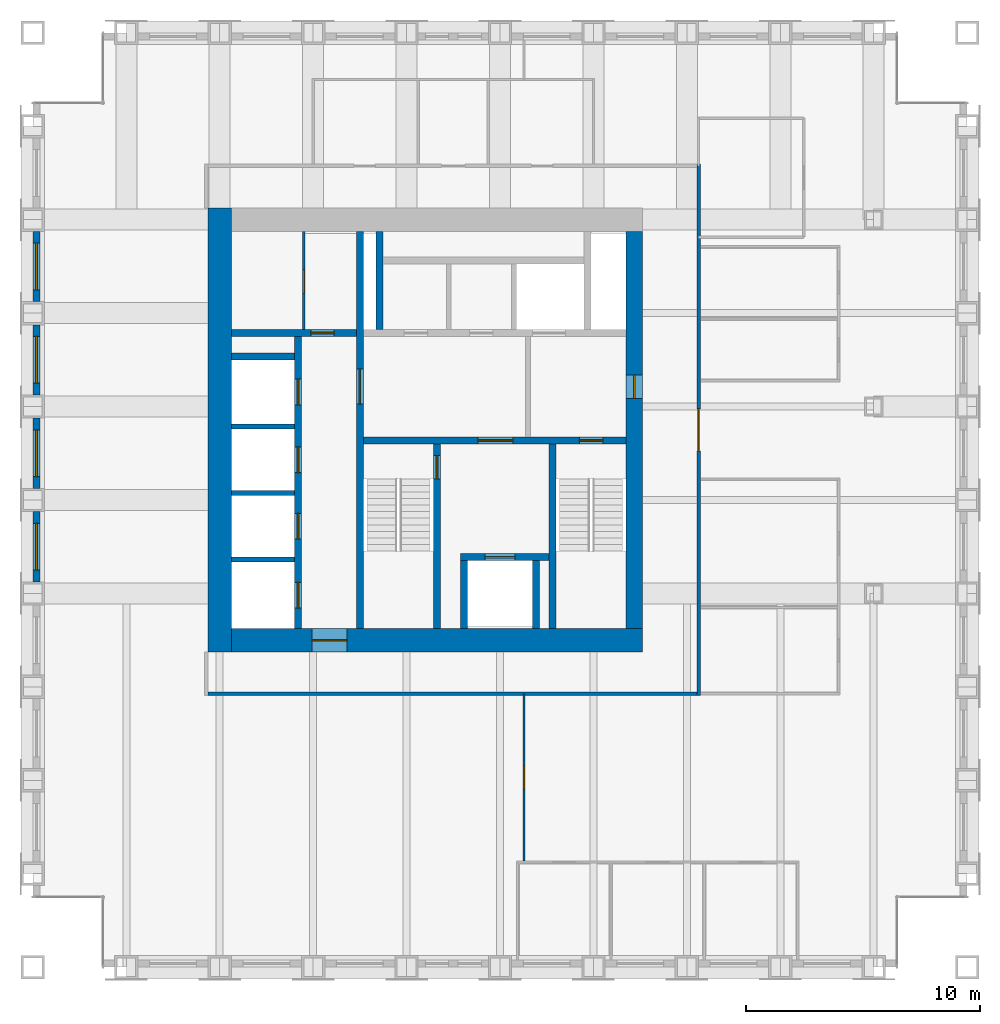
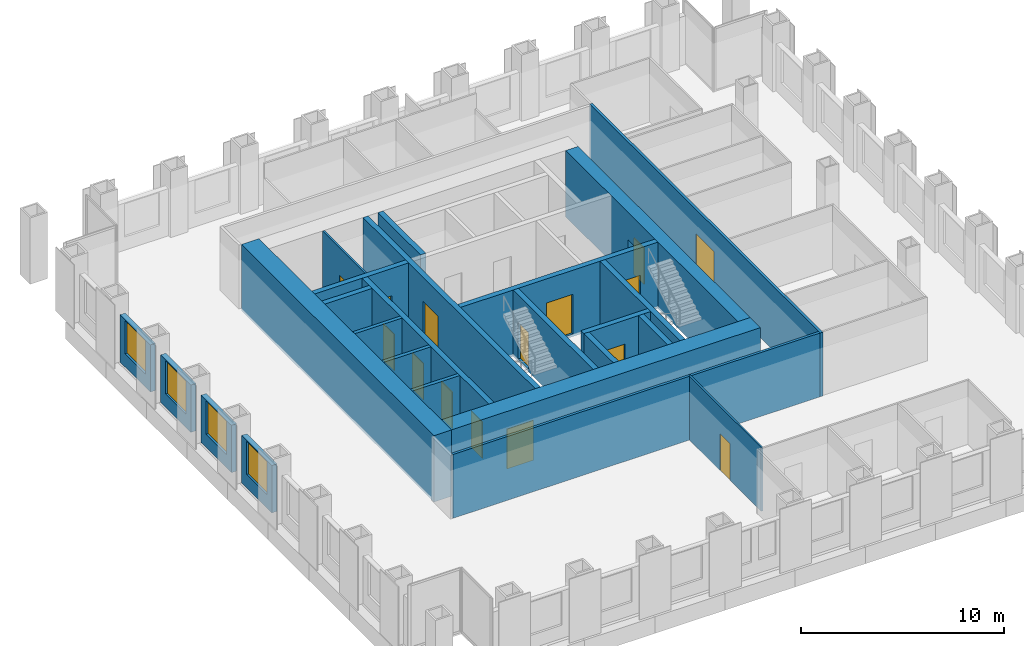
# One storey, part 8 of 11: 25 walls, 15 doors, 4 windows, 19 openings.
"""IFC4 building model written with IfcOpenShell, lengths in metres."""

import ifcopenshell
import ifcopenshell.guid

model = None  # the IFC model being written
_history = None  # IfcOwnerHistory: only IFC2X3 demands one
_inside = {}  # id of a spatial element -> (the spatial element, [elements in it])
_under = {}  # id of a project, library or spatial element -> (it, [spatial elements below it])
_declared = {}  # id of a project -> (the project, [libraries it declares])
_typed = {}  # id of a type object -> (the type object, [elements of that type])
_made_of = {}  # id of a material, layer set ... -> (it, [elements and type objects made of it])


def new_model(schema):
    """Start an empty IFC model of exactly this schema.

    Asked for "IFC4X3", IfcOpenShell would pick the latest addendum, in which some entities
    have other attributes; the version numbers below select the first issue.
    IFC2X3 requires an IfcOwnerHistory on every rooted entity: one is made here for all.
    """
    global model, _history
    if schema == "IFC4X3":
        model = ifcopenshell.file(schema_version=(4, 3, 0, 0))
    else:
        model = ifcopenshell.file(schema=schema)
    _inside.clear()
    _under.clear()
    _declared.clear()
    _typed.clear()
    _made_of.clear()
    _history = None
    if model.schema == "IFC2X3":
        org = make("IfcOrganization", Name="unknown")
        user = make(
            "IfcPersonAndOrganization",
            ThePerson=make("IfcPerson", FamilyName="unknown"),
            TheOrganization=org,
        )
        app = make(
            "IfcApplication",
            ApplicationDeveloper=org,
            Version="unknown",
            ApplicationFullName="unknown",
            ApplicationIdentifier="unknown",
        )
        _history = make(
            "IfcOwnerHistory",
            OwningUser=user,
            OwningApplication=app,
            ChangeAction="ADDED",
            CreationDate=0,
        )
    return model


def make(cls, **values):
    """One entity of the class cls with the attributes given. An attribute that is None is left unset."""
    return model.create_entity(
        cls, **{name: value for name, value in values.items() if value is not None}
    )


def rooted(cls, **values):
    """An entity with a GlobalId (a new one), such as an element, a storey or a relation."""
    return make(cls, GlobalId=ifcopenshell.guid.new(), OwnerHistory=_history, **values)


def si_unit(unit_type, name, prefix=None):
    """IfcSIUnit, for example si_unit("LENGTHUNIT", "METRE", prefix="MILLI")."""
    return make("IfcSIUnit", UnitType=unit_type, Prefix=prefix, Name=name)


def assignment(units):
    """IfcUnitAssignment: the units of a project."""
    return None if units is None else make("IfcUnitAssignment", Units=units)


def point(xyz):
    """IfcCartesianPoint."""
    return None if xyz is None else make("IfcCartesianPoint", Coordinates=xyz)


def direction(xyz):
    """IfcDirection."""
    return None if xyz is None else make("IfcDirection", DirectionRatios=xyz)


def frame(location, z_axis=None, x_axis=None):
    """IfcAxis2Placement3D, a coordinate frame: its origin and axes. An axis left out is left unset."""
    return make(
        "IfcAxis2Placement3D",
        Location=point(location),
        Axis=direction(z_axis),
        RefDirection=direction(x_axis),
    )


def frame_2d(location, x_axis=None):
    """IfcAxis2Placement2D, a coordinate frame in the plane: its origin and x axis."""
    return make(
        "IfcAxis2Placement2D", Location=point(location), RefDirection=direction(x_axis)
    )


def origin():
    """The frame at (0, 0, 0) with its axes left unset."""
    return frame((0.0, 0.0, 0.0))


def place(relative_to, where):
    """IfcLocalPlacement: puts the frame where relative to a parent placement (None: the world)."""
    return make(
        "IfcLocalPlacement", PlacementRelTo=relative_to, RelativePlacement=where
    )


def context(
    kind, dimensions, precision=None, world=None, true_north=None, identifier=None
):
    """IfcGeometricRepresentationContext, for example the 3D "Model" context."""
    return make(
        "IfcGeometricRepresentationContext",
        ContextIdentifier=identifier,
        ContextType=kind,
        CoordinateSpaceDimension=dimensions,
        Precision=precision,
        WorldCoordinateSystem=world,
        TrueNorth=true_north,
    )


def subcontext(parent, identifier, kind, view, scale=None):
    """IfcGeometricRepresentationSubContext, for example "Body" below "Model"."""
    return make(
        "IfcGeometricRepresentationSubContext",
        ContextIdentifier=identifier,
        ContextType=kind,
        ParentContext=parent,
        TargetScale=scale,
        TargetView=view,
    )


def project(units=None, contexts=None):
    """IfcProject with its units and contexts."""
    return rooted(
        "IfcProject",
        Name="project",
        RepresentationContexts=contexts,
        UnitsInContext=assignment(units),
    )


def spatial(cls, under=None, at=None, **own):
    """A site, building, storey or space (cls), placed at a placement, below another one or the project."""
    s = rooted(cls, ObjectPlacement=at, **own)
    if under is not None:
        _under.setdefault(under.id(), (under, []))[1].append(s)
    return s


def profile(cls, at=None, kind="AREA", **sizes):
    """A parametric profile (cls). Its sizes go by their IFC names, for example OverallWidth=200.0."""
    return make(cls, ProfileType=kind, Position=at, **sizes)


def rectangle(**sizes):
    """IfcRectangleProfileDef."""
    return profile("IfcRectangleProfileDef", **sizes)


def extrude(swept, where, along, depth):
    """IfcExtrudedAreaSolid: the profile swept, set in the frame where, extruded along a direction by depth."""
    return make(
        "IfcExtrudedAreaSolid",
        SweptArea=swept,
        Position=where,
        ExtrudedDirection=direction(along),
        Depth=depth,
    )


def shape(context_of_items, identifier, shape_type, items):
    """IfcShapeRepresentation: the items that make up one representation, for example the "Body"."""
    return make(
        "IfcShapeRepresentation",
        ContextOfItems=context_of_items,
        RepresentationIdentifier=identifier,
        RepresentationType=shape_type,
        Items=items,
    )


def material(Name=None, Category=None):
    """IfcMaterial."""
    return make("IfcMaterial", Name=Name, Category=Category)


def layer(
    of_material, thickness, ventilated=None, Name=None, Category=None, Priority=None
):
    """IfcMaterialLayer: one layer of a wall or slab, of a material (None: an air gap)."""
    return make(
        "IfcMaterialLayer",
        Material=of_material,
        LayerThickness=thickness,
        IsVentilated=ventilated,
        Name=Name,
        Category=Category,
        Priority=Priority,
    )


def layer_set(layers, Name=None):
    """IfcMaterialLayerSet."""
    return make("IfcMaterialLayerSet", MaterialLayers=layers, LayerSetName=Name)


def made_of(thing, what):
    """Note that an element or type object is made of a material, layer set ...; save() writes the relation."""
    if what is not None:
        _made_of.setdefault(what.id(), (what, []))[1].append(thing)
    return thing


def type_object(cls, material=None, **own):
    """A type object (cls), such as IfcWallType, which elements share."""
    return made_of(rooted(cls, **own), material)


def element(
    cls,
    number,
    at=None,
    inside=None,
    cuts=None,
    type_object=None,
    material=None,
    context=None,
    identifier="Body",
    shape_type=None,
    held_by="IfcProductDefinitionShape",
    body=None,
    shapes=None,
    **own,
):
    """One element of the class cls, such as IfcWall. Its Tag is "e" and its number.

    at: its placement. inside: the storey or other place that contains it. cuts: it is an
    opening in that element (IfcRelVoidsElement). A single representation is given by context,
    identifier, shape_type and body (its items); several are given by shapes. held_by: the class
    of the entity that holds the representations. save() writes the other relations.
    """
    e = rooted(cls, Tag="e%d" % number, ObjectPlacement=at, **own)
    if body is not None:
        shapes = [shape(context, identifier, shape_type, body)]
    if shapes is not None:
        e.Representation = make(held_by, Representations=shapes)
    if inside is not None:
        _inside.setdefault(inside.id(), (inside, []))[1].append(e)
    if cuts is not None:
        rooted(
            "IfcRelVoidsElement", RelatingBuildingElement=cuts, RelatedOpeningElement=e
        )
    if type_object is not None:
        _typed.setdefault(type_object.id(), (type_object, []))[1].append(e)
    return made_of(e, material)


def fill(opening, filler):
    """IfcRelFillsElement: the door or window that sits in an opening."""
    return rooted(
        "IfcRelFillsElement",
        RelatingOpeningElement=opening,
        RelatedBuildingElement=filler,
    )


def aggregate(whole, parts):
    """IfcRelAggregates: a whole, such as a stair, and the parts it consists of."""
    return rooted("IfcRelAggregates", RelatingObject=whole, RelatedObjects=parts)


def save(model, path):
    """Write the relations noted so far, then the file.

    IfcRelAggregates (storeys below a building ...), IfcRelContainedInSpatialStructure (elements
    in a storey), IfcRelDefinesByType, IfcRelAssociatesMaterial and IfcRelDeclares: one each for
    every whole, place, type object, material and project.
    """
    for whole, parts in _under.values():
        aggregate(whole, parts)
    for where, things in _inside.values():
        rooted(
            "IfcRelContainedInSpatialStructure",
            RelatedElements=things,
            RelatingStructure=where,
        )
    for kind, things in _typed.values():
        rooted("IfcRelDefinesByType", RelatedObjects=things, RelatingType=kind)
    for what, things in _made_of.values():
        rooted("IfcRelAssociatesMaterial", RelatedObjects=things, RelatingMaterial=what)
    for by, libraries in _declared.values():
        rooted("IfcRelDeclares", RelatingContext=by, RelatedDefinitions=libraries)
    model.write(path)


model = new_model("IFC4")

# Units and contexts
model_context = context("Model", 3, precision=1e-05, world=origin(), true_north=direction((0.0, 1.0)))
body_context = subcontext(model_context, "Body", "Model", "MODEL_VIEW")
ifc_project = project(units=[si_unit("LENGTHUNIT", "METRE"), si_unit("AREAUNIT", "SQUARE_METRE"), si_unit("VOLUMEUNIT", "CUBIC_METRE"), si_unit("PLANEANGLEUNIT", "RADIAN"), si_unit("MASSUNIT", "GRAM", prefix="KILO")], contexts=[model_context])

# Site, building, storey
site_placement = place(None, origin())
site = spatial("IfcSite", under=ifc_project, at=site_placement, CompositionType="ELEMENT")
building_placement = place(site_placement, origin())
building = spatial("IfcBuilding", under=site, at=building_placement, Name="Rimbunsela Tower", CompositionType="ELEMENT")
storey_placement = place(building_placement, frame((0.0, 0.0, 250.199951171875)))
storey = spatial("IfcBuildingStorey", under=building, at=storey_placement, Name="L60", CompositionType="ELEMENT", Elevation=250.199951171875)

# Wall, opening, door
ifc_material_1 = material(Name="Concrete fc' 80 MPa", Category="concrete")
ifc_layer_1 = layer(ifc_material_1, 0.300048828125)
ifc_layer_set_1 = layer_set([ifc_layer_1], Name="Core internal wall 300")
wall_type_1 = type_object("IfcWallType", Name="Core internal wall 300", PredefinedType="SHEAR", material=ifc_layer_set_1)
wall_1_placement = place(storey_placement, frame((24.0, 18.5, -0.14990234375), z_axis=(0.0, 0.0, 1.0), x_axis=(0.0, 1.0, 0.0)))
wall_1 = element("IfcWall", 1, at=wall_1_placement, inside=storey, type_object=wall_type_1, Name="Core wall at stair A", PredefinedType="SHEAR", context=body_context, shape_type="SweptSolid", body=[
    extrude(rectangle(XDim=17.0, YDim=0.300048828125, at=frame_2d((8.5, 0.0))), origin(), (0.0, 0.0, 1.0), 4.0),
])
opening_1_placement = place(wall_1_placement, frame((9.60009765625, 0.0, 0.14990234375)))
opening_1 = element("IfcOpeningElement", 2, at=opening_1_placement, cuts=wall_1, Name="Opening D03", PredefinedType="OPENING", context=body_context, shape_type="SweptSolid", body=[
    extrude(rectangle(XDim=1.5, YDim=2.39990234375, at=frame_2d((0.75, 1.199951171875))), frame((0.0, 0.159912109375, 0.0), z_axis=(0.0, -1.0, 0.0), x_axis=(1.0, 0.0, 0.0)), (0.0, 0.0, 1.0), 0.320068359375),
])
ifc_material_2 = material(Name="Steel door, fire rated", Category="steel")
door_type_1 = type_object("IfcDoorType", Name="Core lobby door 1500", OperationType="DOUBLE_DOOR_DOUBLE_SWING", PredefinedType="DOOR", material=ifc_material_2)
door_1_placement = place(opening_1_placement, origin())
door_1 = element("IfcDoor", 3, at=door_1_placement, inside=storey, type_object=door_type_1, Name="West lobby door", OperationType="DOUBLE_DOOR_DOUBLE_SWING", OverallHeight=2.39990234375, OverallWidth=1.5, PredefinedType="DOOR", context=body_context, shape_type="SweptSolid", body=[
    extrude(rectangle(XDim=1.5, YDim=2.39990234375, at=frame_2d((0.75, 1.199951171875))), frame((0.0, 0.02490234375, 0.0), z_axis=(0.0, -1.0, 0.0), x_axis=(1.0, 0.0, 0.0)), (0.0, 0.0, 1.0), 0.050048828125),
])
fill(opening_1, door_1)

# Wall, openings, doors
wall_2_placement = place(storey_placement, frame((24.14990234375, 26.550048828125, -0.14990234375), z_axis=(0.0, 0.0, 1.0), x_axis=(1.0, 0.0, 0.0)))
wall_2 = element("IfcWall", 4, at=wall_2_placement, inside=storey, type_object=wall_type_1, Name="Core wall lobby south", PredefinedType="SHEAR", context=body_context, shape_type="SweptSolid", body=[
    extrude(rectangle(XDim=11.25, YDim=0.300048828125, at=frame_2d((5.625, 0.0))), origin(), (0.0, 0.0, 1.0), 4.0),
])
opening_2_placement = place(wall_2_placement, frame((9.25, 0.0, 0.14990234375)))
opening_2 = element("IfcOpeningElement", 5, at=opening_2_placement, cuts=wall_2, Name="Opening D01", PredefinedType="OPENING", context=body_context, shape_type="SweptSolid", body=[
    extrude(rectangle(XDim=1.0, YDim=2.199951171875, at=frame_2d((0.5, 1.10009765625))), frame((0.0, 0.159912109375, 0.0), z_axis=(0.0, -1.0, 0.0), x_axis=(1.0, 0.0, 0.0)), (0.0, 0.0, 1.0), 0.320068359375),
])
opening_3_placement = place(wall_2_placement, frame((4.89990234375, 0.0, 0.14990234375)))
opening_3 = element("IfcOpeningElement", 6, at=opening_3_placement, cuts=wall_2, Name="Opening D03", PredefinedType="OPENING", context=body_context, shape_type="SweptSolid", body=[
    extrude(rectangle(XDim=1.5, YDim=2.39990234375, at=frame_2d((0.75, 1.199951171875))), frame((0.0, 0.159912109375, 0.0), z_axis=(0.0, -1.0, 0.0), x_axis=(1.0, 0.0, 0.0)), (0.0, 0.0, 1.0), 0.320068359375),
])
door_2_placement = place(opening_3_placement, origin())
door_2 = element("IfcDoor", 7, at=door_2_placement, inside=storey, type_object=door_type_1, Name="Firefighting lobby door", OperationType="DOUBLE_DOOR_DOUBLE_SWING", OverallHeight=2.39990234375, OverallWidth=1.5, PredefinedType="DOOR", context=body_context, shape_type="SweptSolid", body=[
    extrude(rectangle(XDim=1.5, YDim=2.39990234375, at=frame_2d((0.75, 1.199951171875))), frame((0.0, 0.02490234375, 0.0), z_axis=(0.0, -1.0, 0.0), x_axis=(1.0, 0.0, 0.0)), (0.0, 0.0, 1.0), 0.050048828125),
])
fill(opening_3, door_2)
ifc_material_3 = material(Name="Steel door, fire rated", Category="steel")
door_type_2 = type_object("IfcDoorType", Name="Stair door 1000", OperationType="SINGLE_SWING_RIGHT", PredefinedType="DOOR", material=ifc_material_3)
door_3_placement = place(opening_2_placement, frame((1.0, 0.0, 0.0), z_axis=(0.0, 0.0, 1.0), x_axis=(-1.0, 0.0, 0.0)))
door_3 = element("IfcDoor", 8, at=door_3_placement, inside=storey, type_object=door_type_2, Name="Stair B door", OperationType="SINGLE_SWING_RIGHT", OverallHeight=2.199951171875, OverallWidth=1.0, PredefinedType="DOOR", context=body_context, shape_type="SweptSolid", body=[
    extrude(rectangle(XDim=1.0, YDim=2.199951171875, at=frame_2d((0.5, 1.10009765625))), frame((0.0, 0.02490234375, 0.0), z_axis=(0.0, -1.0, 0.0), x_axis=(1.0, 0.0, 0.0)), (0.0, 0.0, 1.0), 0.050048828125),
])
fill(opening_2, door_3)

# Wall, opening, door
wall_3_placement = place(storey_placement, frame((27.300048828125, 18.5, -0.14990234375), z_axis=(0.0, 0.0, 1.0), x_axis=(0.0, 1.0, 0.0)))
wall_3 = element("IfcWall", 9, at=wall_3_placement, inside=storey, type_object=wall_type_1, Name="Stair A enclosure", PredefinedType="SHEAR", context=body_context, shape_type="SweptSolid", body=[
    extrude(rectangle(XDim=7.89990234375, YDim=0.300048828125, at=frame_2d((3.949951171875, 0.0))), origin(), (0.0, 0.0, 1.0), 4.0),
])
opening_4_placement = place(wall_3_placement, frame((6.39990234375, 0.0, 0.14990234375)))
opening_4 = element("IfcOpeningElement", 10, at=opening_4_placement, cuts=wall_3, Name="Opening D01", PredefinedType="OPENING", context=body_context, shape_type="SweptSolid", body=[
    extrude(rectangle(XDim=1.0, YDim=2.199951171875, at=frame_2d((0.5, 1.10009765625))), frame((0.0, 0.159912109375, 0.0), z_axis=(0.0, -1.0, 0.0), x_axis=(1.0, 0.0, 0.0)), (0.0, 0.0, 1.0), 0.320068359375),
])
door_4_placement = place(opening_4_placement, origin())
door_4 = element("IfcDoor", 11, at=door_4_placement, inside=storey, type_object=door_type_2, Name="Stair A door", OperationType="SINGLE_SWING_RIGHT", OverallHeight=2.199951171875, OverallWidth=1.0, PredefinedType="DOOR", context=body_context, shape_type="SweptSolid", body=[
    extrude(rectangle(XDim=1.0, YDim=2.199951171875, at=frame_2d((0.5, 1.10009765625))), frame((0.0, 0.02490234375, 0.0), z_axis=(0.0, -1.0, 0.0), x_axis=(1.0, 0.0, 0.0)), (0.0, 0.0, 1.0), 0.050048828125),
])
fill(opening_4, door_4)

# Walls
wall_4_placement = place(storey_placement, frame((32.25, 18.5, -0.14990234375), z_axis=(0.0, 0.0, 1.0), x_axis=(0.0, 1.0, 0.0)))
element("IfcWall", 12, at=wall_4_placement, inside=storey, type_object=wall_type_1, Name="Stair B enclosure", PredefinedType="SHEAR", context=body_context, shape_type="SweptSolid", body=[
    extrude(rectangle(XDim=7.89990234375, YDim=0.300048828125, at=frame_2d((3.949951171875, 0.0))), origin(), (0.0, 0.0, 1.0), 4.0),
])
for number, where, z_axis, x_axis, name in (
    (13, (28.449951171875, 18.5, -0.14990234375), (0.0, 0.0, 1.0), (0.0, 1.0, 0.0), "Firefighting lift shaft west"),
    (14, (31.550048828125, 18.5, -0.14990234375), (0.0, 0.0, 1.0), (0.0, 1.0, 0.0), "Firefighting lift shaft east"),
):
    element("IfcWall", number, at=place(storey_placement, frame(where, z_axis=z_axis, x_axis=x_axis)), inside=storey, type_object=wall_type_1, Name=name, PredefinedType="SHEAR", context=body_context, shape_type="SweptSolid", body=[
        extrude(rectangle(XDim=2.89990234375, YDim=0.300048828125, at=frame_2d((1.449951171875, 0.0))), origin(), (0.0, 0.0, 1.0), 4.0),
    ])

# Wall, opening, door
wall_5_placement = place(storey_placement, frame((28.300048828125, 21.550048828125, -0.14990234375), z_axis=(0.0, 0.0, 1.0), x_axis=(1.0, 0.0, 0.0)))
wall_5 = element("IfcWall", 15, at=wall_5_placement, inside=storey, type_object=wall_type_1, Name="Firefighting lift shaft front", PredefinedType="SHEAR", context=body_context, shape_type="SweptSolid", body=[
    extrude(rectangle(XDim=3.800048828125, YDim=0.300048828125, at=frame_2d((1.89990234375, 0.0))), origin(), (0.0, 0.0, 1.0), 4.0),
])
opening_5_placement = place(wall_5_placement, frame((1.050048828125, 0.0, 0.14990234375)))
opening_5 = element("IfcOpeningElement", 16, at=opening_5_placement, cuts=wall_5, Name="Opening LD2", PredefinedType="OPENING", context=body_context, shape_type="SweptSolid", body=[
    extrude(rectangle(XDim=1.300048828125, YDim=2.39990234375, at=frame_2d((0.64990234375, 1.199951171875))), frame((0.0, 0.159912109375, 0.0), z_axis=(0.0, -1.0, 0.0), x_axis=(1.0, 0.0, 0.0)), (0.0, 0.0, 1.0), 0.320068359375),
])
ifc_material_4 = material(Name="Steel door, fire rated", Category="steel")
door_type_3 = type_object("IfcDoorType", Name="Lift landing door 1300", OperationType="DOUBLE_DOOR_SLIDING", PredefinedType="DOOR", material=ifc_material_4)
door_5_placement = place(opening_5_placement, origin())
door_5 = element("IfcDoor", 17, at=door_5_placement, inside=storey, type_object=door_type_3, Name="Lift landing door FL1", OperationType="DOUBLE_DOOR_SLIDING", OverallHeight=2.39990234375, OverallWidth=1.300048828125, PredefinedType="DOOR", context=body_context, shape_type="SweptSolid", body=[
    extrude(rectangle(XDim=1.300048828125, YDim=2.39990234375, at=frame_2d((0.64990234375, 1.199951171875))), frame((0.0, 0.02490234375, 0.0), z_axis=(0.0, -1.0, 0.0), x_axis=(1.0, 0.0, 0.0)), (0.0, 0.0, 1.0), 0.050048828125),
])
fill(opening_5, door_5)

# Wall, openings, doors
wall_6_placement = place(storey_placement, frame((21.35009765625, 18.5, -0.14990234375), z_axis=(0.0, 0.0, 1.0), x_axis=(0.0, 1.0, 0.0)))
wall_6 = element("IfcWall", 18, at=wall_6_placement, inside=storey, type_object=wall_type_1, Name="Lift shaft front west", PredefinedType="SHEAR", context=body_context, shape_type="SweptSolid", body=[
    extrude(rectangle(XDim=12.5, YDim=0.300048828125, at=frame_2d((6.25, 0.0))), origin(), (0.0, 0.0, 1.0), 4.0),
])
opening_6_placement = place(wall_6_placement, frame((0.875, 0.0, 0.14990234375)))
opening_6 = element("IfcOpeningElement", 19, at=opening_6_placement, cuts=wall_6, Name="Opening LD1", PredefinedType="OPENING", context=body_context, shape_type="SweptSolid", body=[
    extrude(rectangle(XDim=1.10009765625, YDim=2.199951171875, at=frame_2d((0.550048828125, 1.10009765625))), frame((0.0, 0.159912109375, 0.0), z_axis=(0.0, -1.0, 0.0), x_axis=(1.0, 0.0, 0.0)), (0.0, 0.0, 1.0), 0.320068359375),
])
opening_7_placement = place(wall_6_placement, frame((3.824951171875, 0.0, 0.14990234375)))
opening_7 = element("IfcOpeningElement", 20, at=opening_7_placement, cuts=wall_6, Name="Opening LD1", PredefinedType="OPENING", context=body_context, shape_type="SweptSolid", body=[
    extrude(rectangle(XDim=1.10009765625, YDim=2.199951171875, at=frame_2d((0.550048828125, 1.10009765625))), frame((0.0, 0.159912109375, 0.0), z_axis=(0.0, -1.0, 0.0), x_axis=(1.0, 0.0, 0.0)), (0.0, 0.0, 1.0), 0.320068359375),
])
opening_8_placement = place(wall_6_placement, frame((6.675048828125, 0.0, 0.14990234375)))
opening_8 = element("IfcOpeningElement", 21, at=opening_8_placement, cuts=wall_6, Name="Opening LD1", PredefinedType="OPENING", context=body_context, shape_type="SweptSolid", body=[
    extrude(rectangle(XDim=1.10009765625, YDim=2.199951171875, at=frame_2d((0.550048828125, 1.10009765625))), frame((0.0, 0.159912109375, 0.0), z_axis=(0.0, -1.0, 0.0), x_axis=(1.0, 0.0, 0.0)), (0.0, 0.0, 1.0), 0.320068359375),
])
opening_9_placement = place(wall_6_placement, frame((9.574951171875, 0.0, 0.14990234375)))
opening_9 = element("IfcOpeningElement", 22, at=opening_9_placement, cuts=wall_6, Name="Opening LD1", PredefinedType="OPENING", context=body_context, shape_type="SweptSolid", body=[
    extrude(rectangle(XDim=1.10009765625, YDim=2.199951171875, at=frame_2d((0.550048828125, 1.10009765625))), frame((0.0, 0.159912109375, 0.0), z_axis=(0.0, -1.0, 0.0), x_axis=(1.0, 0.0, 0.0)), (0.0, 0.0, 1.0), 0.320068359375),
])
ifc_material_5 = material(Name="Steel door, fire rated", Category="steel")
door_type_4 = type_object("IfcDoorType", Name="Lift landing door 1100", OperationType="DOUBLE_DOOR_SLIDING", PredefinedType="DOOR", material=ifc_material_5)
door_6_placement = place(opening_6_placement, origin())
door_6 = element("IfcDoor", 23, at=door_6_placement, inside=storey, type_object=door_type_4, Name="Lift landing door TL1", OperationType="DOUBLE_DOOR_SLIDING", OverallHeight=2.199951171875, OverallWidth=1.10009765625, PredefinedType="DOOR", context=body_context, shape_type="SweptSolid", body=[
    extrude(rectangle(XDim=1.10009765625, YDim=2.199951171875, at=frame_2d((0.550048828125, 1.10009765625))), frame((0.0, 0.02490234375, 0.0), z_axis=(0.0, -1.0, 0.0), x_axis=(1.0, 0.0, 0.0)), (0.0, 0.0, 1.0), 0.050048828125),
])
fill(opening_6, door_6)
door_7_placement = place(opening_7_placement, origin())
door_7 = element("IfcDoor", 24, at=door_7_placement, inside=storey, type_object=door_type_4, Name="Lift landing door TL2", OperationType="DOUBLE_DOOR_SLIDING", OverallHeight=2.199951171875, OverallWidth=1.10009765625, PredefinedType="DOOR", context=body_context, shape_type="SweptSolid", body=[
    extrude(rectangle(XDim=1.10009765625, YDim=2.199951171875, at=frame_2d((0.550048828125, 1.10009765625))), frame((0.0, 0.02490234375, 0.0), z_axis=(0.0, -1.0, 0.0), x_axis=(1.0, 0.0, 0.0)), (0.0, 0.0, 1.0), 0.050048828125),
])
fill(opening_7, door_7)
door_8_placement = place(opening_8_placement, origin())
door_8 = element("IfcDoor", 25, at=door_8_placement, inside=storey, type_object=door_type_4, Name="Lift landing door TL3", OperationType="DOUBLE_DOOR_SLIDING", OverallHeight=2.199951171875, OverallWidth=1.10009765625, PredefinedType="DOOR", context=body_context, shape_type="SweptSolid", body=[
    extrude(rectangle(XDim=1.10009765625, YDim=2.199951171875, at=frame_2d((0.550048828125, 1.10009765625))), frame((0.0, 0.02490234375, 0.0), z_axis=(0.0, -1.0, 0.0), x_axis=(1.0, 0.0, 0.0)), (0.0, 0.0, 1.0), 0.050048828125),
])
fill(opening_8, door_8)
door_9_placement = place(opening_9_placement, origin())
door_9 = element("IfcDoor", 26, at=door_9_placement, inside=storey, type_object=door_type_4, Name="Lift landing door TL4", OperationType="DOUBLE_DOOR_SLIDING", OverallHeight=2.199951171875, OverallWidth=1.10009765625, PredefinedType="DOOR", context=body_context, shape_type="SweptSolid", body=[
    extrude(rectangle(XDim=1.10009765625, YDim=2.199951171875, at=frame_2d((0.550048828125, 1.10009765625))), frame((0.0, 0.02490234375, 0.0), z_axis=(0.0, -1.0, 0.0), x_axis=(1.0, 0.0, 0.0)), (0.0, 0.0, 1.0), 0.050048828125),
])
fill(opening_9, door_9)

# Wall, opening, door
wall_7_placement = place(storey_placement, frame((18.5, 31.14990234375, -0.14990234375), z_axis=(0.0, 0.0, 1.0), x_axis=(1.0, 0.0, 0.0)))
wall_7 = element("IfcWall", 27, at=wall_7_placement, inside=storey, type_object=wall_type_1, Name="Store wall", PredefinedType="SHEAR", context=body_context, shape_type="SweptSolid", body=[
    extrude(rectangle(XDim=5.35009765625, YDim=0.300048828125, at=frame_2d((2.675048828125, 0.0))), origin(), (0.0, 0.0, 1.0), 4.0),
])
opening_10_placement = place(wall_7_placement, frame((3.39990234375, 0.0, 0.14990234375)))
opening_10 = element("IfcOpeningElement", 28, at=opening_10_placement, cuts=wall_7, Name="Opening D19", PredefinedType="OPENING", context=body_context, shape_type="SweptSolid", body=[
    extrude(rectangle(XDim=1.0, YDim=2.199951171875, at=frame_2d((0.5, 1.10009765625))), frame((0.0, 0.159912109375, 0.0), z_axis=(0.0, -1.0, 0.0), x_axis=(1.0, 0.0, 0.0)), (0.0, 0.0, 1.0), 0.320068359375),
])
ifc_material_6 = material(Name="Steel door, fire rated", Category="steel")
door_type_5 = type_object("IfcDoorType", Name="Service door 1000 fire rated", OperationType="SINGLE_SWING_LEFT", PredefinedType="DOOR", material=ifc_material_6)
door_10_placement = place(opening_10_placement, origin())
door_10 = element("IfcDoor", 29, at=door_10_placement, inside=storey, type_object=door_type_5, Name="Staff pantry door", OperationType="SINGLE_SWING_LEFT", OverallHeight=2.199951171875, OverallWidth=1.0, PredefinedType="DOOR", context=body_context, shape_type="SweptSolid", body=[
    extrude(rectangle(XDim=1.0, YDim=2.199951171875, at=frame_2d((0.5, 1.10009765625))), frame((0.0, 0.02490234375, 0.0), z_axis=(0.0, -1.0, 0.0), x_axis=(1.0, 0.0, 0.0)), (0.0, 0.0, 1.0), 0.050048828125),
])
fill(opening_10, door_10)

# Walls
wall_8_placement = place(storey_placement, frame((18.5, 30.14990234375, -0.14990234375), z_axis=(0.0, 0.0, 1.0), x_axis=(1.0, 0.0, 0.0)))
element("IfcWall", 30, at=wall_8_placement, inside=storey, type_object=wall_type_1, Name="Lift shaft rear west", PredefinedType="SHEAR", context=body_context, shape_type="SweptSolid", body=[
    extrude(rectangle(XDim=2.699951171875, YDim=0.300048828125, at=frame_2d((1.35009765625, 0.0))), origin(), (0.0, 0.0, 1.0), 4.0),
])
wall_9_placement = place(storey_placement, frame((24.85009765625, 31.300048828125, -0.14990234375), z_axis=(0.0, 0.0, 1.0), x_axis=(0.0, 1.0, 0.0)))
element("IfcWall", 31, at=wall_9_placement, inside=storey, type_object=wall_type_1, Name="Riser wall", PredefinedType="SHEAR", context=body_context, shape_type="SweptSolid", body=[
    extrude(rectangle(XDim=4.199951171875, YDim=0.300048828125, at=frame_2d((2.10009765625, 0.0))), origin(), (0.0, 0.0, 1.0), 4.0),
])

# Wall, opening, door
ifc_material_7 = material(Name="Concrete blockwork", Category="masonry")
ifc_layer_2 = layer(ifc_material_7, 0.10009765625)
ifc_layer_set_2 = layer_set([ifc_layer_2], Name="Core room partition 100")
wall_type_2 = type_object("IfcWallType", Name="Core room partition 100", PredefinedType="PARTITIONING", material=ifc_layer_set_2)
wall_10_placement = place(storey_placement, frame((21.60009765625, 31.300048828125, 0.0), z_axis=(0.0, 0.0, 1.0), x_axis=(0.0, 1.0, 0.0)))
wall_10 = element("IfcWall", 32, at=wall_10_placement, inside=storey, type_object=wall_type_2, Name="Tenant store wall", PredefinedType="PARTITIONING", context=body_context, shape_type="SweptSolid", body=[
    extrude(rectangle(XDim=4.199951171875, YDim=0.10009765625, at=frame_2d((2.10009765625, 0.0))), origin(), (0.0, 0.0, 1.0), 3.85009765625),
])
opening_11_placement = place(wall_10_placement, frame((1.550048828125, 0.0, 0.0)))
opening_11 = element("IfcOpeningElement", 33, at=opening_11_placement, cuts=wall_10, Name="Opening D19", PredefinedType="OPENING", context=body_context, shape_type="SweptSolid", body=[
    extrude(rectangle(XDim=1.0, YDim=2.199951171875, at=frame_2d((0.5, 1.10009765625))), frame((0.0, 0.06005859375, 0.0), z_axis=(0.0, -1.0, 0.0), x_axis=(1.0, 0.0, 0.0)), (0.0, 0.0, 1.0), 0.1201171875),
])
door_11_placement = place(opening_11_placement, origin())
door_11 = element("IfcDoor", 34, at=door_11_placement, inside=storey, type_object=door_type_5, Name="Tenant store door", OperationType="SINGLE_SWING_LEFT", OverallHeight=2.199951171875, OverallWidth=1.0, PredefinedType="DOOR", context=body_context, shape_type="SweptSolid", body=[
    extrude(rectangle(XDim=1.0, YDim=2.199951171875, at=frame_2d((0.5, 1.10009765625))), frame((0.0, 0.02490234375, 0.0), z_axis=(0.0, -1.0, 0.0), x_axis=(1.0, 0.0, 0.0)), (0.0, 0.0, 1.0), 0.050048828125),
])
fill(opening_11, door_11)

# Wall
ifc_material_8 = material(Name="Concrete fc' 80 MPa", Category="concrete")
ifc_layer_3 = layer(ifc_material_8, 1.0)
ifc_layer_set_3 = layer_set([ifc_layer_3], Name="Core wall 1000")
wall_type_3 = type_object("IfcWallType", Name="Core wall 1000", PredefinedType="SHEAR", material=ifc_layer_set_3)
wall_11_placement = place(storey_placement, frame((18.0, 17.5, -0.14990234375), z_axis=(0.0, 0.0, 1.0), x_axis=(0.0, 1.0, 0.0)))
element("IfcWall", 35, at=wall_11_placement, inside=storey, type_object=wall_type_3, Name="Core wall west", PredefinedType="SHEAR", context=body_context, shape_type="SweptSolid", body=[
    extrude(rectangle(XDim=19.0, YDim=1.0, at=frame_2d((9.5, 0.0))), origin(), (0.0, 0.0, 1.0), 4.0),
])

# Wall, opening, door
wall_12_placement = place(storey_placement, frame((18.5, 18.0, -0.14990234375), z_axis=(0.0, 0.0, 1.0), x_axis=(1.0, 0.0, 0.0)))
wall_12 = element("IfcWall", 36, at=wall_12_placement, inside=storey, type_object=wall_type_3, Name="Core wall south", PredefinedType="SHEAR", context=body_context, shape_type="SweptSolid", body=[
    extrude(rectangle(XDim=17.60009765625, YDim=1.0, at=frame_2d((8.800048828125, 0.0))), origin(), (0.0, 0.0, 1.0), 4.0),
])
opening_12_placement = place(wall_12_placement, frame((3.449951171875, 0.0, 0.14990234375)))
opening_12 = element("IfcOpeningElement", 37, at=opening_12_placement, cuts=wall_12, Name="Opening D03", PredefinedType="OPENING", context=body_context, shape_type="SweptSolid", body=[
    extrude(rectangle(XDim=1.5, YDim=2.39990234375, at=frame_2d((0.75, 1.199951171875))), frame((0.0, 0.510009765625, 0.0), z_axis=(0.0, -1.0, 0.0), x_axis=(1.0, 0.0, 0.0)), (0.0, 0.0, 1.0), 1.02001953125),
])
door_12_placement = place(opening_12_placement, origin())
door_12 = element("IfcDoor", 38, at=door_12_placement, inside=storey, type_object=door_type_1, Name="Core door south", OperationType="DOUBLE_DOOR_DOUBLE_SWING", OverallHeight=2.39990234375, OverallWidth=1.5, PredefinedType="DOOR", context=body_context, shape_type="SweptSolid", body=[
    extrude(rectangle(XDim=1.5, YDim=2.39990234375, at=frame_2d((0.75, 1.199951171875))), frame((0.0, 0.02490234375, 0.0), z_axis=(0.0, -1.0, 0.0), x_axis=(1.0, 0.0, 0.0)), (0.0, 0.0, 1.0), 0.050048828125),
])
fill(opening_12, door_12)

ifc_material_9 = material(Name="Concrete fc' 80 MPa", Category="concrete")
ifc_layer_4 = layer(ifc_material_9, 0.699951171875)
ifc_layer_set_4 = layer_set([ifc_layer_4], Name="Core wall 700 east")
wall_type_4 = type_object("IfcWallType", Name="Core wall 700 east", PredefinedType="SHEAR", material=ifc_layer_set_4)
wall_13_placement = place(storey_placement, frame((35.75, 18.5, -0.14990234375), z_axis=(0.0, 0.0, 1.0), x_axis=(0.0, 1.0, 0.0)))
wall_13 = element("IfcWall", 39, at=wall_13_placement, inside=storey, type_object=wall_type_4, Name="Core wall east", PredefinedType="SHEAR", context=body_context, shape_type="SweptSolid", body=[
    extrude(rectangle(XDim=17.0, YDim=0.699951171875, at=frame_2d((8.5, 0.0))), origin(), (0.0, 0.0, 1.0), 4.0),
])
opening_13_placement = place(wall_13_placement, frame((9.85009765625, 0.0, 0.14990234375)))
opening_13 = element("IfcOpeningElement", 40, at=opening_13_placement, cuts=wall_13, Name="Opening D01", PredefinedType="OPENING", context=body_context, shape_type="SweptSolid", body=[
    extrude(rectangle(XDim=1.0, YDim=2.199951171875, at=frame_2d((0.5, 1.10009765625))), frame((0.0, 0.35986328125, 0.0), z_axis=(0.0, -1.0, 0.0), x_axis=(1.0, 0.0, 0.0)), (0.0, 0.0, 1.0), 0.719970703125),
])
door_13_placement = place(opening_13_placement, origin())
door_13 = element("IfcDoor", 41, at=door_13_placement, inside=storey, type_object=door_type_2, Name="Firefighting lobby 2 door", OperationType="SINGLE_SWING_RIGHT", OverallHeight=2.199951171875, OverallWidth=1.0, PredefinedType="DOOR", context=body_context, shape_type="SweptSolid", body=[
    extrude(rectangle(XDim=1.0, YDim=2.199951171875, at=frame_2d((0.5, 1.10009765625))), frame((0.0, 0.02490234375, 0.0), z_axis=(0.0, -1.0, 0.0), x_axis=(1.0, 0.0, 0.0)), (0.0, 0.0, 1.0), 0.050048828125),
])
fill(opening_13, door_13)

# Walls
ifc_material_10 = material(Name="Concrete blockwork", Category="masonry")
ifc_layer_5 = layer(ifc_material_10, 0.199951171875)
ifc_layer_set_5 = layer_set([ifc_layer_5], Name="Lift shaft wall 200")
wall_type_5 = type_object("IfcWallType", Name="Lift shaft wall 200", PredefinedType="SOLIDWALL", material=ifc_layer_set_5)
for number, where, z_axis, x_axis, name in (
    (42, (18.5, 21.449951171875, -0.14990234375), (0.0, 0.0, 1.0), (1.0, 0.0, 0.0), "Lift shaft separation"),
    (43, (18.5, 24.300048828125, -0.14990234375), (0.0, 0.0, 1.0), (1.0, 0.0, 0.0), "Lift shaft separation"),
    (44, (18.5, 27.14990234375, -0.14990234375), (0.0, 0.0, 1.0), (1.0, 0.0, 0.0), "Lift shaft separation"),
):
    element("IfcWall", number, at=place(storey_placement, frame(where, z_axis=z_axis, x_axis=x_axis)), inside=storey, type_object=wall_type_5, Name=name, PredefinedType="SOLIDWALL", context=body_context, shape_type="SweptSolid", body=[
        extrude(rectangle(XDim=2.699951171875, YDim=0.199951171875, at=frame_2d((1.35009765625, 0.0))), origin(), (0.0, 0.0, 1.0), 4.0),
    ])

# Wall, opening, door
ifc_material_11 = material(Name="Gypsum board on steel studs", Category="steel")
ifc_layer_6 = layer(ifc_material_11, 0.10009765625)
ifc_layer_set_6 = layer_set([ifc_layer_6], Name="Office partition 100")
wall_type_6 = type_object("IfcWallType", Name="Office partition 100", PredefinedType="PARTITIONING", material=ifc_layer_set_6)
wall_14_placement = place(storey_placement, frame((31.02490234375, 15.699951171875, 0.0), z_axis=(0.0, 0.0, 1.0), x_axis=(0.0, -1.0, 0.0)))
wall_14 = element("IfcWall", 45, at=wall_14_placement, inside=storey, type_object=wall_type_6, Name="Office partition", PredefinedType="PARTITIONING", context=body_context, shape_type="SweptSolid", body=[
    extrude(rectangle(XDim=7.14990234375, YDim=0.10009765625, at=frame_2d((3.574951171875, 0.0))), origin(), (0.0, 0.0, 1.0), 3.85009765625),
])
opening_14_placement = place(wall_14_placement, frame((3.074951171875, 0.0, 0.0)))
opening_14 = element("IfcOpeningElement", 46, at=opening_14_placement, cuts=wall_14, Name="Opening D17", PredefinedType="OPENING", context=body_context, shape_type="SweptSolid", body=[
    extrude(rectangle(XDim=1.0, YDim=2.199951171875, at=frame_2d((0.5, 1.10009765625))), frame((0.0, 0.06005859375, 0.0), z_axis=(0.0, -1.0, 0.0), x_axis=(1.0, 0.0, 0.0)), (0.0, 0.0, 1.0), 0.1201171875),
])
ifc_material_12 = material(Name="Glazed aluminium door", Category="aluminium")
door_type_6 = type_object("IfcDoorType", Name="Meeting room door 1000 glazed", OperationType="SINGLE_SWING_RIGHT", PredefinedType="DOOR", material=ifc_material_12)
door_14_placement = place(opening_14_placement, origin())
door_14 = element("IfcDoor", 47, at=door_14_placement, inside=storey, type_object=door_type_6, Name="Open office screen door", OperationType="SINGLE_SWING_RIGHT", OverallHeight=2.199951171875, OverallWidth=1.0, PredefinedType="DOOR", context=body_context, shape_type="SweptSolid", body=[
    extrude(rectangle(XDim=1.0, YDim=2.199951171875, at=frame_2d((0.5, 1.10009765625))), frame((0.0, 0.02490234375, 0.0), z_axis=(0.0, -1.0, 0.0), x_axis=(1.0, 0.0, 0.0)), (0.0, 0.0, 1.0), 0.050048828125),
])
fill(opening_14, door_14)

# Wall, opening, window
ifc_material_13 = material(Name="Precast concrete fc' 35 MPa", Category="concrete")
ifc_layer_7 = layer(ifc_material_13, 0.300048828125)
ifc_layer_set_7 = layer_set([ifc_layer_7], Name="Precast concrete fc' 35 MPa")
wall_type_7 = type_object("IfcWallType", Name="Precast facade panel 300", PredefinedType="ELEMENTEDWALL", material=ifc_layer_set_7)
wall_15_placement = place(storey_placement, frame((10.14990234375, 23.5, 0.0), z_axis=(0.0, 0.0, 1.0), x_axis=(0.0, -1.0, 0.0)))
wall_15 = element("IfcWall", 48, at=wall_15_placement, inside=storey, type_object=wall_type_7, Name="Facade panel W L60", PredefinedType="ELEMENTEDWALL", context=body_context, shape_type="SweptSolid", body=[
    extrude(rectangle(XDim=3.0, YDim=0.300048828125, at=frame_2d((1.5, 0.0))), origin(), (0.0, 0.0, 1.0), 2.85009765625),
])
opening_15_placement = place(wall_15_placement, frame((0.5, 0.0, 0.800048828125)))
opening_15 = element("IfcOpeningElement", 49, at=opening_15_placement, cuts=wall_15, Name="Opening W1", PredefinedType="OPENING", context=body_context, shape_type="SweptSolid", body=[
    extrude(rectangle(XDim=2.0, YDim=2.0, at=frame_2d((1.0, 1.0))), frame((0.0, 0.159912109375, 0.0), z_axis=(0.0, -1.0, 0.0), x_axis=(1.0, 0.0, 0.0)), (0.0, 0.0, 1.0), 0.320068359375),
])
ifc_material_14 = material(Name="Clear glass in aluminium frame", Category="aluminium")
window_type = type_object("IfcWindowType", Name="Window W1 2000x2000", PartitioningType="DOUBLE_PANEL_VERTICAL", PredefinedType="WINDOW", material=ifc_material_14)
window_1_placement = place(opening_15_placement, origin())
window_1 = element("IfcWindow", 50, at=window_1_placement, inside=storey, type_object=window_type, Name="Window L60", OverallHeight=2.0, OverallWidth=2.0, PartitioningType="SINGLE_PANEL", PredefinedType="WINDOW", context=body_context, shape_type="SweptSolid", body=[
    extrude(rectangle(XDim=2.0, YDim=2.0, at=frame_2d((1.0, 1.0))), frame((0.0, 0.030029296875, 0.0), z_axis=(0.0, -1.0, 0.0), x_axis=(1.0, 0.0, 0.0)), (0.0, 0.0, 1.0), 0.06005859375),
])
fill(opening_15, window_1)

wall_16_placement = place(storey_placement, frame((10.14990234375, 27.5, 0.0), z_axis=(0.0, 0.0, 1.0), x_axis=(0.0, -1.0, 0.0)))
wall_16 = element("IfcWall", 51, at=wall_16_placement, inside=storey, type_object=wall_type_7, Name="Facade panel W L60", PredefinedType="ELEMENTEDWALL", context=body_context, shape_type="SweptSolid", body=[
    extrude(rectangle(XDim=3.0, YDim=0.300048828125, at=frame_2d((1.5, 0.0))), origin(), (0.0, 0.0, 1.0), 2.85009765625),
])
opening_16_placement = place(wall_16_placement, frame((0.5, 0.0, 0.800048828125)))
opening_16 = element("IfcOpeningElement", 52, at=opening_16_placement, cuts=wall_16, Name="Opening W1", PredefinedType="OPENING", context=body_context, shape_type="SweptSolid", body=[
    extrude(rectangle(XDim=2.0, YDim=2.0, at=frame_2d((1.0, 1.0))), frame((0.0, 0.159912109375, 0.0), z_axis=(0.0, -1.0, 0.0), x_axis=(1.0, 0.0, 0.0)), (0.0, 0.0, 1.0), 0.320068359375),
])
window_2_placement = place(opening_16_placement, origin())
window_2 = element("IfcWindow", 53, at=window_2_placement, inside=storey, type_object=window_type, Name="Window L60", OverallHeight=2.0, OverallWidth=2.0, PartitioningType="SINGLE_PANEL", PredefinedType="WINDOW", context=body_context, shape_type="SweptSolid", body=[
    extrude(rectangle(XDim=2.0, YDim=2.0, at=frame_2d((1.0, 1.0))), frame((0.0, 0.030029296875, 0.0), z_axis=(0.0, -1.0, 0.0), x_axis=(1.0, 0.0, 0.0)), (0.0, 0.0, 1.0), 0.06005859375),
])
fill(opening_16, window_2)

wall_17_placement = place(storey_placement, frame((10.14990234375, 31.5, 0.0), z_axis=(0.0, 0.0, 1.0), x_axis=(0.0, -1.0, 0.0)))
wall_17 = element("IfcWall", 54, at=wall_17_placement, inside=storey, type_object=wall_type_7, Name="Facade panel W L60", PredefinedType="ELEMENTEDWALL", context=body_context, shape_type="SweptSolid", body=[
    extrude(rectangle(XDim=3.0, YDim=0.300048828125, at=frame_2d((1.5, 0.0))), origin(), (0.0, 0.0, 1.0), 2.85009765625),
])
opening_17_placement = place(wall_17_placement, frame((0.5, 0.0, 0.800048828125)))
opening_17 = element("IfcOpeningElement", 55, at=opening_17_placement, cuts=wall_17, Name="Opening W1", PredefinedType="OPENING", context=body_context, shape_type="SweptSolid", body=[
    extrude(rectangle(XDim=2.0, YDim=2.0, at=frame_2d((1.0, 1.0))), frame((0.0, 0.159912109375, 0.0), z_axis=(0.0, -1.0, 0.0), x_axis=(1.0, 0.0, 0.0)), (0.0, 0.0, 1.0), 0.320068359375),
])
window_3_placement = place(opening_17_placement, origin())
window_3 = element("IfcWindow", 56, at=window_3_placement, inside=storey, type_object=window_type, Name="Window L60", OverallHeight=2.0, OverallWidth=2.0, PartitioningType="SINGLE_PANEL", PredefinedType="WINDOW", context=body_context, shape_type="SweptSolid", body=[
    extrude(rectangle(XDim=2.0, YDim=2.0, at=frame_2d((1.0, 1.0))), frame((0.0, 0.030029296875, 0.0), z_axis=(0.0, -1.0, 0.0), x_axis=(1.0, 0.0, 0.0)), (0.0, 0.0, 1.0), 0.06005859375),
])
fill(opening_17, window_3)

wall_18_placement = place(storey_placement, frame((10.14990234375, 35.5, 0.0), z_axis=(0.0, 0.0, 1.0), x_axis=(0.0, -1.0, 0.0)))
wall_18 = element("IfcWall", 57, at=wall_18_placement, inside=storey, type_object=wall_type_7, Name="Facade panel W L60", PredefinedType="ELEMENTEDWALL", context=body_context, shape_type="SweptSolid", body=[
    extrude(rectangle(XDim=3.0, YDim=0.300048828125, at=frame_2d((1.5, 0.0))), origin(), (0.0, 0.0, 1.0), 2.85009765625),
])
opening_18_placement = place(wall_18_placement, frame((0.5, 0.0, 0.800048828125)))
opening_18 = element("IfcOpeningElement", 58, at=opening_18_placement, cuts=wall_18, Name="Opening W1", PredefinedType="OPENING", context=body_context, shape_type="SweptSolid", body=[
    extrude(rectangle(XDim=2.0, YDim=2.0, at=frame_2d((1.0, 1.0))), frame((0.0, 0.159912109375, 0.0), z_axis=(0.0, -1.0, 0.0), x_axis=(1.0, 0.0, 0.0)), (0.0, 0.0, 1.0), 0.320068359375),
])
window_4_placement = place(opening_18_placement, origin())
window_4 = element("IfcWindow", 59, at=window_4_placement, inside=storey, type_object=window_type, Name="Window L60", OverallHeight=2.0, OverallWidth=2.0, PartitioningType="SINGLE_PANEL", PredefinedType="WINDOW", context=body_context, shape_type="SweptSolid", body=[
    extrude(rectangle(XDim=2.0, YDim=2.0, at=frame_2d((1.0, 1.0))), frame((0.0, 0.030029296875, 0.0), z_axis=(0.0, -1.0, 0.0), x_axis=(1.0, 0.0, 0.0)), (0.0, 0.0, 1.0), 0.06005859375),
])
fill(opening_18, window_4)

# Wall, opening, door
ifc_material_15 = material(Name="Fire-rated gypsum board on steel studs, EI 60", Category="steel")
ifc_layer_8 = layer(ifc_material_15, 0.14990234375)
ifc_layer_set_8 = layer_set([ifc_layer_8], Name="Rated corridor wall 150")
wall_type_8 = type_object("IfcWallType", Name="Rated corridor wall 150", PredefinedType="PARTITIONING", material=ifc_layer_set_8)
wall_19_placement = place(storey_placement, frame((38.5, 15.625, 0.0), z_axis=(0.0, 0.0, 1.0), x_axis=(0.0, 1.0, 0.0)))
wall_19 = element("IfcWall", 60, at=wall_19_placement, inside=storey, type_object=wall_type_8, Name="Corridor wall east", PredefinedType="PARTITIONING", context=body_context, shape_type="SweptSolid", body=[
    extrude(rectangle(XDim=22.75, YDim=0.14990234375, at=frame_2d((11.375, 0.0))), origin(), (0.0, 0.0, 1.0), 3.85009765625),
])
opening_19_placement = place(wall_19_placement, frame((10.47509765625, 0.0, 0.0)))
opening_19 = element("IfcOpeningElement", 61, at=opening_19_placement, cuts=wall_19, Name="Opening D09", PredefinedType="OPENING", context=body_context, shape_type="SweptSolid", body=[
    extrude(rectangle(XDim=1.800048828125, YDim=2.39990234375, at=frame_2d((0.89990234375, 1.199951171875))), frame((0.0, 0.0849609375, 0.0), z_axis=(0.0, -1.0, 0.0), x_axis=(1.0, 0.0, 0.0)), (0.0, 0.0, 1.0), 0.169921875),
])
ifc_material_16 = material(Name="Glazed aluminium door, fire rated", Category="aluminium")
door_type_7 = type_object("IfcDoorType", Name="Tenancy door 1800 glazed", OperationType="DOUBLE_DOOR_DOUBLE_SWING", PredefinedType="DOOR", material=ifc_material_16)
door_15_placement = place(opening_19_placement, origin())
door_15 = element("IfcDoor", 62, at=door_15_placement, inside=storey, type_object=door_type_7, Name="Tenancy door", OperationType="DOUBLE_DOOR_DOUBLE_SWING", OverallHeight=2.39990234375, OverallWidth=1.800048828125, PredefinedType="DOOR", context=body_context, shape_type="SweptSolid", body=[
    extrude(rectangle(XDim=1.800048828125, YDim=2.39990234375, at=frame_2d((0.89990234375, 1.199951171875))), frame((0.0, 0.02490234375, 0.0), z_axis=(0.0, -1.0, 0.0), x_axis=(1.0, 0.0, 0.0)), (0.0, 0.0, 1.0), 0.050048828125),
])
fill(opening_19, door_15)

# Wall
wall_20_placement = place(storey_placement, frame((17.5, 15.699951171875, 0.0), z_axis=(0.0, 0.0, 1.0), x_axis=(1.0, 0.0, 0.0)))
element("IfcWall", 63, at=wall_20_placement, inside=storey, type_object=wall_type_8, Name="Corridor wall south", PredefinedType="PARTITIONING", context=body_context, shape_type="SweptSolid", body=[
    extrude(rectangle(XDim=20.925048828125, YDim=0.14990234375, at=frame_2d((10.46240234375, 0.0))), origin(), (0.0, 0.0, 1.0), 3.85009765625),
])

save(model, "model.ifc")
